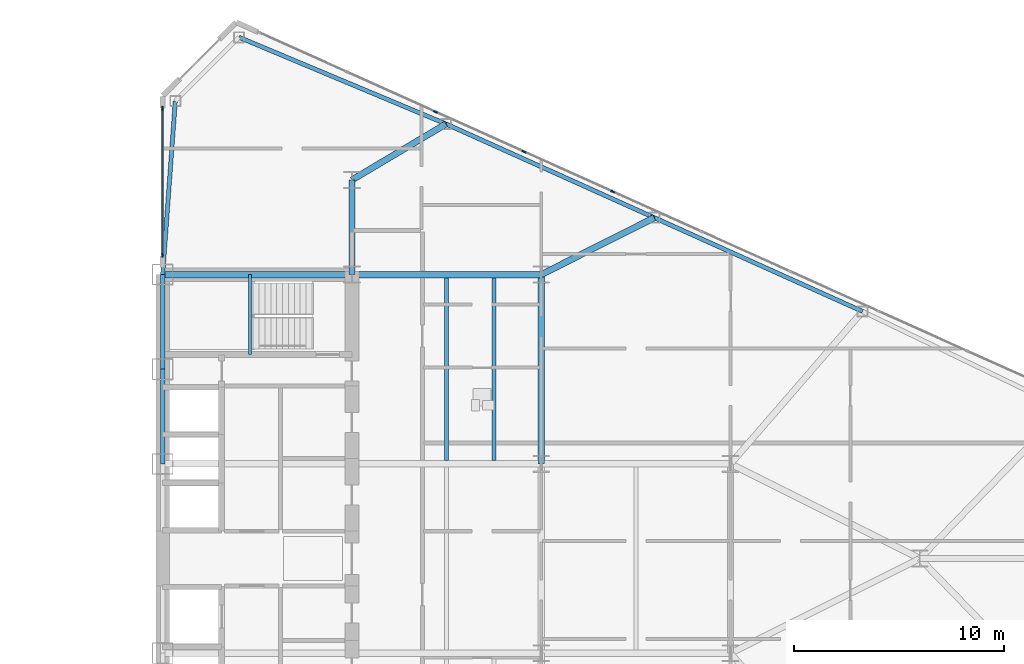
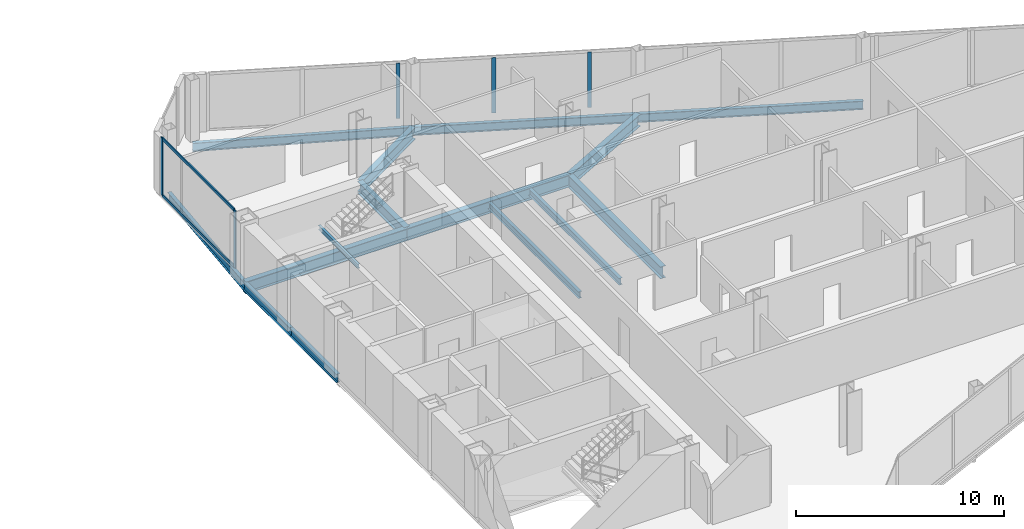
# One storey, part 13 of 27: 15 beams, 7 members, 2 elements without a shape of their own.
"""IFC4 building model written with IfcOpenShell, lengths in metres."""

import ifcopenshell
import ifcopenshell.guid

model = None  # the IFC model being written
_history = None  # IfcOwnerHistory: only IFC2X3 demands one
_inside = {}  # id of a spatial element -> (the spatial element, [elements in it])
_under = {}  # id of a project, library or spatial element -> (it, [spatial elements below it])
_declared = {}  # id of a project -> (the project, [libraries it declares])
_typed = {}  # id of a type object -> (the type object, [elements of that type])
_made_of = {}  # id of a material, layer set ... -> (it, [elements and type objects made of it])


def new_model(schema):
    """Start an empty IFC model of exactly this schema.

    Asked for "IFC4X3", IfcOpenShell would pick the latest addendum, in which some entities
    have other attributes; the version numbers below select the first issue.
    IFC2X3 requires an IfcOwnerHistory on every rooted entity: one is made here for all.
    """
    global model, _history
    if schema == "IFC4X3":
        model = ifcopenshell.file(schema_version=(4, 3, 0, 0))
    else:
        model = ifcopenshell.file(schema=schema)
    _inside.clear()
    _under.clear()
    _declared.clear()
    _typed.clear()
    _made_of.clear()
    _history = None
    if model.schema == "IFC2X3":
        org = make("IfcOrganization", Name="unknown")
        user = make(
            "IfcPersonAndOrganization",
            ThePerson=make("IfcPerson", FamilyName="unknown"),
            TheOrganization=org,
        )
        app = make(
            "IfcApplication",
            ApplicationDeveloper=org,
            Version="unknown",
            ApplicationFullName="unknown",
            ApplicationIdentifier="unknown",
        )
        _history = make(
            "IfcOwnerHistory",
            OwningUser=user,
            OwningApplication=app,
            ChangeAction="ADDED",
            CreationDate=0,
        )
    return model


def make(cls, **values):
    """One entity of the class cls with the attributes given. An attribute that is None is left unset."""
    return model.create_entity(
        cls, **{name: value for name, value in values.items() if value is not None}
    )


def rooted(cls, **values):
    """An entity with a GlobalId (a new one), such as an element, a storey or a relation."""
    return make(cls, GlobalId=ifcopenshell.guid.new(), OwnerHistory=_history, **values)


def si_unit(unit_type, name, prefix=None):
    """IfcSIUnit, for example si_unit("LENGTHUNIT", "METRE", prefix="MILLI")."""
    return make("IfcSIUnit", UnitType=unit_type, Prefix=prefix, Name=name)


def assignment(units):
    """IfcUnitAssignment: the units of a project."""
    return None if units is None else make("IfcUnitAssignment", Units=units)


def point(xyz):
    """IfcCartesianPoint."""
    return None if xyz is None else make("IfcCartesianPoint", Coordinates=xyz)


def direction(xyz):
    """IfcDirection."""
    return None if xyz is None else make("IfcDirection", DirectionRatios=xyz)


def frame(location, z_axis=None, x_axis=None):
    """IfcAxis2Placement3D, a coordinate frame: its origin and axes. An axis left out is left unset."""
    return make(
        "IfcAxis2Placement3D",
        Location=point(location),
        Axis=direction(z_axis),
        RefDirection=direction(x_axis),
    )


def frame_2d(location, x_axis=None):
    """IfcAxis2Placement2D, a coordinate frame in the plane: its origin and x axis."""
    return make(
        "IfcAxis2Placement2D", Location=point(location), RefDirection=direction(x_axis)
    )


def origin():
    """The frame at (0, 0, 0) with its axes left unset."""
    return frame((0.0, 0.0, 0.0))


def origin_2d():
    """The frame at (0, 0) in the plane with its x axis left unset."""
    return frame_2d((0.0, 0.0))


def place(relative_to, where):
    """IfcLocalPlacement: puts the frame where relative to a parent placement (None: the world)."""
    return make(
        "IfcLocalPlacement", PlacementRelTo=relative_to, RelativePlacement=where
    )


def context(
    kind, dimensions, precision=None, world=None, true_north=None, identifier=None
):
    """IfcGeometricRepresentationContext, for example the 3D "Model" context."""
    return make(
        "IfcGeometricRepresentationContext",
        ContextIdentifier=identifier,
        ContextType=kind,
        CoordinateSpaceDimension=dimensions,
        Precision=precision,
        WorldCoordinateSystem=world,
        TrueNorth=true_north,
    )


def subcontext(parent, identifier, kind, view, scale=None):
    """IfcGeometricRepresentationSubContext, for example "Body" below "Model"."""
    return make(
        "IfcGeometricRepresentationSubContext",
        ContextIdentifier=identifier,
        ContextType=kind,
        ParentContext=parent,
        TargetScale=scale,
        TargetView=view,
    )


def project(units=None, contexts=None):
    """IfcProject with its units and contexts."""
    return rooted(
        "IfcProject",
        Name="project",
        RepresentationContexts=contexts,
        UnitsInContext=assignment(units),
    )


def spatial(cls, under=None, at=None, **own):
    """A site, building, storey or space (cls), placed at a placement, below another one or the project."""
    s = rooted(cls, ObjectPlacement=at, **own)
    if under is not None:
        _under.setdefault(under.id(), (under, []))[1].append(s)
    return s


def profile(cls, at=None, kind="AREA", **sizes):
    """A parametric profile (cls). Its sizes go by their IFC names, for example OverallWidth=200.0."""
    return make(cls, ProfileType=kind, Position=at, **sizes)


def rectangle(**sizes):
    """IfcRectangleProfileDef."""
    return profile("IfcRectangleProfileDef", **sizes)


def i_section(**sizes):
    """IfcIShapeProfileDef."""
    return profile("IfcIShapeProfileDef", **sizes)


def extrude(swept, where, along, depth):
    """IfcExtrudedAreaSolid: the profile swept, set in the frame where, extruded along a direction by depth."""
    return make(
        "IfcExtrudedAreaSolid",
        SweptArea=swept,
        Position=where,
        ExtrudedDirection=direction(along),
        Depth=depth,
    )


def shape(context_of_items, identifier, shape_type, items):
    """IfcShapeRepresentation: the items that make up one representation, for example the "Body"."""
    return make(
        "IfcShapeRepresentation",
        ContextOfItems=context_of_items,
        RepresentationIdentifier=identifier,
        RepresentationType=shape_type,
        Items=items,
    )


def source(mapping_origin, context_of_items, identifier, shape_type, items):
    """IfcRepresentationMap: a shape defined once, which mapped items show again and again."""
    return make(
        "IfcRepresentationMap",
        MappingOrigin=mapping_origin,
        MappedRepresentation=shape(context_of_items, identifier, shape_type, items),
    )


def transform(
    local_origin,
    x_axis=None,
    y_axis=None,
    z_axis=None,
    scale=None,
    scale2=None,
    scale3=None,
    uniform=True,
):
    """IfcCartesianTransformationOperator3D, or its non-uniform kind. x_axis, y_axis, z_axis: its Axis1, 2, 3."""
    if uniform:
        return make(
            "IfcCartesianTransformationOperator3D",
            Axis1=direction(x_axis),
            Axis2=direction(y_axis),
            LocalOrigin=point(local_origin),
            Scale=scale,
            Axis3=direction(z_axis),
        )
    return make(
        "IfcCartesianTransformationOperator3DnonUniform",
        Axis1=direction(x_axis),
        Axis2=direction(y_axis),
        LocalOrigin=point(local_origin),
        Scale=scale,
        Axis3=direction(z_axis),
        Scale2=scale2,
        Scale3=scale3,
    )


def mapped(mapping_source, mapping_target):
    """IfcMappedItem: shows the shape of a source again, moved by a transform."""
    return make(
        "IfcMappedItem", MappingSource=mapping_source, MappingTarget=mapping_target
    )


def material(Name=None, Category=None):
    """IfcMaterial."""
    return make("IfcMaterial", Name=Name, Category=Category)


def layer(
    of_material, thickness, ventilated=None, Name=None, Category=None, Priority=None
):
    """IfcMaterialLayer: one layer of a wall or slab, of a material (None: an air gap)."""
    return make(
        "IfcMaterialLayer",
        Material=of_material,
        LayerThickness=thickness,
        IsVentilated=ventilated,
        Name=Name,
        Category=Category,
        Priority=Priority,
    )


def layer_set(layers, Name=None):
    """IfcMaterialLayerSet."""
    return make("IfcMaterialLayerSet", MaterialLayers=layers, LayerSetName=Name)


def material_profile(
    of_material, cross_section, Name=None, Category=None, Priority=None
):
    """IfcMaterialProfile: a cross section and its material."""
    return make(
        "IfcMaterialProfile",
        Name=Name,
        Material=of_material,
        Profile=cross_section,
        Priority=Priority,
        Category=Category,
    )


def profile_set(profiles, Name=None, composite=None):
    """IfcMaterialProfileSet."""
    return make(
        "IfcMaterialProfileSet",
        Name=Name,
        MaterialProfiles=profiles,
        CompositeProfile=composite,
    )


def made_of(thing, what):
    """Note that an element or type object is made of a material, layer set ...; save() writes the relation."""
    if what is not None:
        _made_of.setdefault(what.id(), (what, []))[1].append(thing)
    return thing


def type_object(cls, material=None, **own):
    """A type object (cls), such as IfcWallType, which elements share."""
    return made_of(rooted(cls, **own), material)


def type_shapes(of_type, sources):
    """Give a type object the sources (RepresentationMaps) that its elements show as mapped items."""
    of_type.RepresentationMaps = sources


def element(
    cls,
    number,
    at=None,
    inside=None,
    cuts=None,
    type_object=None,
    material=None,
    context=None,
    identifier="Body",
    shape_type=None,
    held_by="IfcProductDefinitionShape",
    body=None,
    shapes=None,
    **own,
):
    """One element of the class cls, such as IfcWall. Its Tag is "e" and its number.

    at: its placement. inside: the storey or other place that contains it. cuts: it is an
    opening in that element (IfcRelVoidsElement). A single representation is given by context,
    identifier, shape_type and body (its items); several are given by shapes. held_by: the class
    of the entity that holds the representations. save() writes the other relations.
    """
    e = rooted(cls, Tag="e%d" % number, ObjectPlacement=at, **own)
    if body is not None:
        shapes = [shape(context, identifier, shape_type, body)]
    if shapes is not None:
        e.Representation = make(held_by, Representations=shapes)
    if inside is not None:
        _inside.setdefault(inside.id(), (inside, []))[1].append(e)
    if cuts is not None:
        rooted(
            "IfcRelVoidsElement", RelatingBuildingElement=cuts, RelatedOpeningElement=e
        )
    if type_object is not None:
        _typed.setdefault(type_object.id(), (type_object, []))[1].append(e)
    return made_of(e, material)


def aggregate(whole, parts):
    """IfcRelAggregates: a whole, such as a stair, and the parts it consists of."""
    return rooted("IfcRelAggregates", RelatingObject=whole, RelatedObjects=parts)


def save(model, path):
    """Write the relations noted so far, then the file.

    IfcRelAggregates (storeys below a building ...), IfcRelContainedInSpatialStructure (elements
    in a storey), IfcRelDefinesByType, IfcRelAssociatesMaterial and IfcRelDeclares: one each for
    every whole, place, type object, material and project.
    """
    for whole, parts in _under.values():
        aggregate(whole, parts)
    for where, things in _inside.values():
        rooted(
            "IfcRelContainedInSpatialStructure",
            RelatedElements=things,
            RelatingStructure=where,
        )
    for kind, things in _typed.values():
        rooted("IfcRelDefinesByType", RelatedObjects=things, RelatingType=kind)
    for what, things in _made_of.values():
        rooted("IfcRelAssociatesMaterial", RelatedObjects=things, RelatingMaterial=what)
    for by, libraries in _declared.values():
        rooted("IfcRelDeclares", RelatingContext=by, RelatedDefinitions=libraries)
    model.write(path)


model = new_model("IFC4")

# Units and contexts
model_context = context("Model", 3, precision=1e-05, world=origin(), true_north=direction((0.0, 1.0)))
body_context = subcontext(model_context, "Body", "Model", "MODEL_VIEW")
ifc_project = project(units=[si_unit("LENGTHUNIT", "METRE"), si_unit("AREAUNIT", "SQUARE_METRE"), si_unit("VOLUMEUNIT", "CUBIC_METRE"), si_unit("PLANEANGLEUNIT", "RADIAN"), si_unit("MASSUNIT", "GRAM", prefix="KILO")], contexts=[model_context])

# Site, building, storey
site_placement = place(None, origin())
site = spatial("IfcSite", under=ifc_project, at=site_placement, CompositionType="ELEMENT")
building_placement = place(site_placement, origin())
building = spatial("IfcBuilding", under=site, at=building_placement, Name="Seokmaru Belvedere", CompositionType="ELEMENT")
storey_placement = place(building_placement, frame((0.0, 0.0, 72.89990234375)))
storey = spatial("IfcBuildingStorey", under=building, at=storey_placement, Name="L19", CompositionType="ELEMENT", Elevation=72.89990234375)

# Beams
ifc_material_1 = material(Name="Steel SM355 (355 MPa)", Category="steel")
ifc_material_profile_1 = material_profile(ifc_material_1, i_section(OverallWidth=0.199951171875, OverallDepth=0.5, WebThickness=0.010009765625, FlangeThickness=0.01611328125, at=origin_2d()), Name="H-500x200x10x16")
ifc_profile_set_1 = profile_set([ifc_material_profile_1], Name="Steel SM355 (355 MPa)")
beam_type_1 = type_object("IfcBeamType", Name="Perimeter Spandrel Beam H-500", PredefinedType="SPANDREL", material=ifc_profile_set_1)
shared_shape_1 = source(origin(), body_context, "Body", "SweptSolid", [
    extrude(i_section(OverallWidth=0.199951171875, OverallDepth=0.5, WebThickness=0.010009765625, FlangeThickness=0.01611328125, at=origin_2d()), origin(), (0.0, 0.0, 1.0), 4.5),
])
for number, where, z_axis, x_axis, name in (
    (1, (27.5, 4.5, -0.469970703125), (0.0, 1.0, 0.0), (-1.0, 0.0, 0.0), "L19 E Portal Spine Spandrel 4"),
    (2, (27.5, 9.0, -0.469970703125), (0.0, 1.0, 0.0), (-1.0, 0.0, 0.0), "L19 E Portal Spine Spandrel 5"),
):
    element("IfcBeam", number, at=place(storey_placement, frame(where, z_axis=z_axis, x_axis=x_axis)), inside=storey, type_object=beam_type_1, Name=name, PredefinedType="SPANDREL", context=body_context, shape_type="MappedRepresentation", body=[
        mapped(shared_shape_1, transform((0.0, 0.0, 0.0), scale=1.0)),
    ])
ifc_material_profile_2 = material_profile(ifc_material_1, i_section(OverallWidth=0.300048828125, OverallDepth=0.699951171875, WebThickness=0.012939453125, FlangeThickness=0.02392578125, at=origin_2d()), Name="H-700x300x13x24")
ifc_profile_set_2 = profile_set([ifc_material_profile_2], Name="Steel SM355 (355 MPa)")
beam_type_2 = type_object("IfcBeamType", Name="Primary Floor Girder H-700", PredefinedType="BEAM", material=ifc_profile_set_2)
shared_shape_2 = source(origin(), body_context, "Body", "SweptSolid", [
    extrude(i_section(OverallWidth=0.300048828125, OverallDepth=0.699951171875, WebThickness=0.012939453125, FlangeThickness=0.02392578125, at=origin_2d()), origin(), (0.0, 0.0, 1.0), 4.5),
])
beam_1_placement = place(storey_placement, frame((36.5, 13.5, -0.56982421875), z_axis=(0.0, 1.0, 0.0), x_axis=(-1.0, 0.0, 0.0)))
element("IfcBeam", 3, at=beam_1_placement, inside=storey, type_object=beam_type_2, Name="L19 E Core Shoulder Girder N", PredefinedType="BEAM", context=body_context, shape_type="MappedRepresentation", body=[
    mapped(shared_shape_2, transform((0.0, 0.0, 0.0), scale=1.0)),
])
shared_shape_3 = source(origin(), body_context, "Body", "SweptSolid", [
    extrude(i_section(OverallWidth=0.300048828125, OverallDepth=0.699951171875, WebThickness=0.012939453125, FlangeThickness=0.02392578125, at=origin_2d()), origin(), (0.0, 0.0, 1.0), 9.0),
])
for number, where, z_axis, x_axis, name in (
    (4, (45.5, 4.5, -0.56982421875), (0.0, 1.0, 0.0), (-1.0, 0.0, 0.0), "L19 E Interior Grid Girder 3"),
    (5, (27.5, 13.5, -0.56982421875), (1.0, 0.0, 0.0), (0.0, 1.0, 0.0), "L19 E Core Tie Girder 4"),
    (6, (36.5, 13.5, -0.56982421875), (1.0, 0.0, 0.0), (0.0, 1.0, 0.0), "L19 E Wing Primary Girder 4"),
):
    element("IfcBeam", number, at=place(storey_placement, frame(where, z_axis=z_axis, x_axis=x_axis)), inside=storey, type_object=beam_type_2, Name=name, PredefinedType="BEAM", context=body_context, shape_type="MappedRepresentation", body=[
        mapped(shared_shape_3, transform((0.0, 0.0, 0.0), scale=1.0)),
    ])
ifc_material_profile_3 = material_profile(ifc_material_1, i_section(OverallWidth=0.18505859375, OverallDepth=0.389892578125, WebThickness=0.008056640625, FlangeThickness=0.011962890625, at=origin_2d()), Name="H-390x185x8x12")
ifc_profile_set_3 = profile_set([ifc_material_profile_3], Name="Steel SM355 (355 MPa)")
beam_type_3 = type_object("IfcBeamType", Name="Secondary Floor Joist H-350", PredefinedType="JOIST", material=ifc_profile_set_3)
shared_shape_4 = source(origin(), body_context, "Body", "SweptSolid", [
    extrude(i_section(OverallWidth=0.18505859375, OverallDepth=0.389892578125, WebThickness=0.008056640625, FlangeThickness=0.011962890625, at=origin_2d()), origin(), (0.0, 0.0, 1.0), 8.68994140625),
])
type_shapes(beam_type_3, [shared_shape_4])
for number, where, z_axis, x_axis, name in (
    (7, (43.25, 4.655029296875, -0.414794921875), (0.0, 1.0, 0.0), (-1.0, 0.0, 0.0), "L19 E Wing Inner Secondary Joist 2"),
    (8, (41.0, 4.655029296875, -0.414794921875), (0.0, 1.0, 0.0), (-1.0, 0.0, 0.0), "L19 E Secondary Floor Joist 3"),
):
    element("IfcBeam", number, at=place(storey_placement, frame(where, z_axis=z_axis, x_axis=x_axis)), inside=storey, type_object=beam_type_3, Name=name, PredefinedType="JOIST", context=body_context, shape_type="MappedRepresentation", body=[
        mapped(shared_shape_4, transform((0.0, 0.0, 0.0), scale=1.0)),
    ])
shared_shape_5 = source(origin(), body_context, "Body", "SweptSolid", [
    extrude(i_section(OverallWidth=0.199951171875, OverallDepth=0.5, WebThickness=0.010009765625, FlangeThickness=0.01611328125, at=origin_2d()), origin(), (0.0, 0.0, 1.0), 10.66943359375),
])
beam_2_placement = place(storey_placement, frame((31.13134765625, 24.782958984375, -0.469970703125), z_axis=(0.922375393128, -0.386294750355, 0.0), x_axis=(0.386294750355, 0.922375393128, 0.0)))
element("IfcBeam", 9, at=beam_2_placement, inside=storey, type_object=beam_type_1, Name="L19 E Faceted Flank Spandrel N-1", PredefinedType="SPANDREL", context=body_context, shape_type="MappedRepresentation", body=[
    mapped(shared_shape_5, transform((0.0, 0.0, 0.0), scale=1.0)),
])
shared_shape_6 = source(origin(), body_context, "Body", "SweptSolid", [
    extrude(i_section(OverallWidth=0.199951171875, OverallDepth=0.5, WebThickness=0.010009765625, FlangeThickness=0.01611328125, at=origin_2d()), origin(), (0.0, 0.0, 1.0), 10.85888671875),
])
for number, where, z_axis, x_axis, name in (
    (10, (40.97265625, 20.661376953125, -0.469970703125), (0.911921505175, -0.410364677329, 0.0), (0.410364677329, 0.911921505175, 0.0), "L19 E Faceted Flank Spandrel N-2"),
    (11, (50.875, 16.205322265625, -0.469970703125), (0.911925291223, -0.410356263785, 0.0), (0.410356263785, 0.911925291223, 0.0), "L19 E Faceted Flank Spandrel N-3"),
):
    element("IfcBeam", number, at=place(storey_placement, frame(where, z_axis=z_axis, x_axis=x_axis)), inside=storey, type_object=beam_type_1, Name=name, PredefinedType="SPANDREL", context=body_context, shape_type="MappedRepresentation", body=[
        mapped(shared_shape_6, transform((0.0, 0.0, 0.0), scale=1.0)),
    ])
shared_shape_7 = source(origin(), body_context, "Body", "SweptSolid", [
    extrude(i_section(OverallWidth=0.199951171875, OverallDepth=0.5, WebThickness=0.010009765625, FlangeThickness=0.01611328125, at=origin_2d()), origin(), (0.0, 0.0, 1.0), 8.273193359375),
])
type_shapes(beam_type_1, [shared_shape_1, shared_shape_5, shared_shape_6, shared_shape_7])
beam_3_placement = place(storey_placement, frame((28.10009765625, 21.75146484375, -0.469970703125), z_axis=(-0.072534628348, -0.99736589459, 0.0), x_axis=(0.99736589459, -0.072534628348, 0.0)))
element("IfcBeam", 12, at=beam_3_placement, inside=storey, type_object=beam_type_1, Name="L19 E Shoulder Spine Spandrel N", PredefinedType="SPANDREL", context=body_context, shape_type="MappedRepresentation", body=[
    mapped(shared_shape_7, transform((0.0, 0.0, 0.0), scale=1.0)),
])
shared_shape_8 = source(origin(), body_context, "Body", "SweptSolid", [
    extrude(i_section(OverallWidth=0.300048828125, OverallDepth=0.699951171875, WebThickness=0.012939453125, FlangeThickness=0.02392578125, at=origin_2d()), origin(), (0.0, 0.0, 1.0), 5.20458984375),
])
beam_4_placement = place(storey_placement, frame((40.97265625, 20.661376953125, -0.56982421875), z_axis=(-0.859370434188, -0.511353553662, 0.0), x_axis=(0.511353553662, -0.859370434188, 0.0)))
element("IfcBeam", 13, at=beam_4_placement, inside=storey, type_object=beam_type_2, Name="L19 E Flank Radial Floor Girder N-1", PredefinedType="BEAM", context=body_context, shape_type="MappedRepresentation", body=[
    mapped(shared_shape_8, transform((0.0, 0.0, 0.0), scale=1.0)),
])
shared_shape_9 = source(origin(), body_context, "Body", "SweptSolid", [
    extrude(i_section(OverallWidth=0.300048828125, OverallDepth=0.699951171875, WebThickness=0.012939453125, FlangeThickness=0.02392578125, at=origin_2d()), origin(), (0.0, 0.0, 1.0), 6.017333984375),
])
type_shapes(beam_type_2, [shared_shape_2, shared_shape_3, shared_shape_8, shared_shape_9])
beam_5_placement = place(storey_placement, frame((50.875, 16.205322265625, -0.56982421875), z_axis=(-0.893239341975, -0.449581447512, 0.0), x_axis=(0.449581447512, -0.893239341975, 0.0)))
element("IfcBeam", 14, at=beam_5_placement, inside=storey, type_object=beam_type_2, Name="L19 E Flank Radial Floor Girder N-2", PredefinedType="BEAM", context=body_context, shape_type="MappedRepresentation", body=[
    mapped(shared_shape_9, transform((0.0, 0.0, 0.0), scale=1.0)),
])

# Curtain wall, members
ifc_material_2 = material(Name="Bronze Triple Insulating Glass", Category="glass")
ifc_layer = layer(ifc_material_2, 0.195068359375)
ifc_layer_set = layer_set([ifc_layer], Name="Bronze Triple Insulating Glass")
curtain_wall_type = type_object("IfcCurtainWallType", Name="Lower-Mid Tapered Curtain Wall System CW-3", PredefinedType="NOTDEFINED", material=ifc_layer_set)
curtain_wall_1_placement = place(storey_placement, origin())
curtain_wall_1 = element("IfcCurtainWall", 15, at=curtain_wall_1_placement, inside=storey, type_object=curtain_wall_type, Name="L19 Curtain Wall ESP_2", PredefinedType="NOTDEFINED")
ifc_material_3 = material(Name="Anodised Bronze Aluminium", Category="aluminium")
ifc_material_profile_4 = material_profile(ifc_material_3, rectangle(XDim=0.070068359375, YDim=0.1650390625, at=origin_2d()), Name="CW-T-70x165")
ifc_profile_set_4 = profile_set([ifc_material_profile_4], Name="Anodised Bronze Aluminium")
member_type_1 = type_object("IfcMemberType", Name="Bronze Unitised Transom 70x165", PredefinedType="USERDEFINED", material=ifc_profile_set_4)
shared_shape_10 = source(origin(), body_context, "Body", "SweptSolid", [
    extrude(rectangle(XDim=0.070068359375, YDim=0.1650390625, at=origin_2d()), origin(), (0.0, 0.0, 1.0), 6.91015625),
])
type_shapes(member_type_1, [shared_shape_10])
member_1_placement = place(storey_placement, frame((27.5, 21.360107421875, 0.03515625), z_axis=(0.0, -1.0, 0.0), x_axis=(1.0, 0.0, 0.0)))
member_1 = element("IfcMember", 16, at=member_1_placement, type_object=member_type_1, Name="CW:L19:ESP_2 Continuous Transom 1", ObjectType="TRANSOM", PredefinedType="USERDEFINED", context=body_context, shape_type="MappedRepresentation", body=[
    mapped(shared_shape_10, transform((0.0, 0.0, 0.0), scale=1.0)),
])
member_2_placement = place(storey_placement, frame((27.5, 21.360107421875, 3.34521484375), z_axis=(0.0, -1.0, 0.0), x_axis=(1.0, 0.0, 0.0)))
member_2 = element("IfcMember", 17, at=member_2_placement, type_object=member_type_1, Name="CW:L19:ESP_2 Continuous Transom 2", ObjectType="TRANSOM", PredefinedType="USERDEFINED", context=body_context, shape_type="MappedRepresentation", body=[
    mapped(shared_shape_10, transform((0.0, 0.0, 0.0), scale=1.0)),
])

curtain_wall_2_placement = place(storey_placement, origin())
curtain_wall_2 = element("IfcCurtainWall", 18, at=curtain_wall_2_placement, inside=storey, type_object=curtain_wall_type, Name="L19 Curtain Wall EF3", PredefinedType="NOTDEFINED")
ifc_material_profile_5 = material_profile(ifc_material_3, rectangle(XDim=0.070068359375, YDim=0.195068359375, at=origin_2d()), Name="CW-M-70x195")
ifc_profile_set_5 = profile_set([ifc_material_profile_5], Name="Anodised Bronze Aluminium")
member_type_2 = type_object("IfcMemberType", Name="Bronze Unitised Mullion 70x195", PredefinedType="MULLION", material=ifc_profile_set_5)
shared_shape_11 = source(origin(), body_context, "Body", "SweptSolid", [
    extrude(rectangle(XDim=0.070068359375, YDim=0.195068359375, at=origin_2d()), origin(), (0.0, 0.0, 1.0), 3.239990234375),
])
member_3_placement = place(storey_placement, frame((48.894287109375, 17.447509765625, 0.070068359375), z_axis=(0.0, 0.0, 1.0), x_axis=(-0.41036554765, -0.91192111353, 0.0)))
member_3 = element("IfcMember", 19, at=member_3_placement, type_object=member_type_2, Name="CW:L19:EF3 Mullion 6", PredefinedType="MULLION", context=body_context, shape_type="MappedRepresentation", body=[
    mapped(shared_shape_11, transform((0.0, 0.0, 0.0), scale=1.0)),
])
member_4_placement = place(storey_placement, frame((44.682861328125, 19.3427734375, 0.070068359375), z_axis=(0.0, 0.0, 1.0), x_axis=(-0.41036554765, -0.91192111353, 0.0)))
member_4 = element("IfcMember", 20, at=member_4_placement, type_object=member_type_2, Name="CW:L19:EF3 Mullion 7", PredefinedType="MULLION", context=body_context, shape_type="MappedRepresentation", body=[
    mapped(shared_shape_11, transform((0.0, 0.0, 0.0), scale=1.0)),
])
member_5_placement = place(storey_placement, frame((40.471435546875, 21.23779296875, 0.070068359375), z_axis=(0.0, 0.0, 1.0), x_axis=(-0.41036554765, -0.91192111353, 0.0)))
member_5 = element("IfcMember", 21, at=member_5_placement, type_object=member_type_2, Name="CW:L19:EF3 Mullion 8", PredefinedType="MULLION", context=body_context, shape_type="MappedRepresentation", body=[
    mapped(shared_shape_11, transform((0.0, 0.0, 0.0), scale=1.0)),
])
aggregate(curtain_wall_2, [member_3, member_4, member_5])

# Member
shared_shape_12 = source(origin(), body_context, "Body", "SweptSolid", [
    extrude(rectangle(XDim=0.070068359375, YDim=0.195068359375, at=origin_2d()), origin(), (0.0, 0.0, 1.0), 3.380126953125),
])
type_shapes(member_type_2, [shared_shape_11, shared_shape_12])
member_6_placement = place(storey_placement, frame((27.5, 21.39501953125, 0.0), z_axis=(0.0, 0.0, 1.0), x_axis=(1.0, 0.0, 0.0)))
member_6 = element("IfcMember", 22, at=member_6_placement, type_object=member_type_2, Name="CW:L19:ESP_2 Mullion 1", PredefinedType="MULLION", context=body_context, shape_type="MappedRepresentation", body=[
    mapped(shared_shape_12, transform((0.0, 0.0, 0.0), scale=1.0)),
])

member_7_placement = place(storey_placement, frame((27.5, 14.4150390625, 0.0), z_axis=(0.0, 0.0, 1.0), x_axis=(1.0, 0.0, 0.0)))
member_7 = element("IfcMember", 23, at=member_7_placement, type_object=member_type_2, Name="CW:L19:ESP_2 Mullion 2", PredefinedType="MULLION", context=body_context, shape_type="MappedRepresentation", body=[
    mapped(shared_shape_12, transform((0.0, 0.0, 0.0), scale=1.0)),
])

aggregate(curtain_wall_1, [member_6, member_7, member_1, member_2])

# Beam
ifc_material_profile_6 = material_profile(ifc_material_1, i_section(OverallWidth=0.125, OverallDepth=0.25, WebThickness=0.006103515625, FlangeThickness=0.009033203125, at=origin_2d()), Name="H-250x125x6x9")
ifc_profile_set_6 = profile_set([ifc_material_profile_6], Name="Steel SM355 (355 MPa)")
beam_type_4 = type_object("IfcBeamType", Name="Stair Mid-Landing Support Beam H-250", PredefinedType="JOIST", material=ifc_profile_set_6)
shared_shape_13 = source(origin(), body_context, "Body", "SweptSolid", [
    extrude(i_section(OverallWidth=0.125, OverallDepth=0.25, WebThickness=0.006103515625, FlangeThickness=0.009033203125, at=origin_2d()), origin(), (0.0, 0.0, 1.0), 3.800048828125),
])
type_shapes(beam_type_4, [shared_shape_13])
beam_6_placement = place(storey_placement, frame((31.64990234375, 9.699951171875, 1.47509765625), z_axis=(0.0, 1.0, 0.0), x_axis=(-1.0, 0.0, 0.0)))
element("IfcBeam", 24, at=beam_6_placement, inside=storey, type_object=beam_type_4, Name="L19 Stair ST-E2 Mid-Landing Support Beam 1", PredefinedType="JOIST", context=body_context, shape_type="MappedRepresentation", body=[
    mapped(shared_shape_13, transform((0.0, 0.0, 0.0), scale=1.0)),
])

save(model, "model.ifc")
